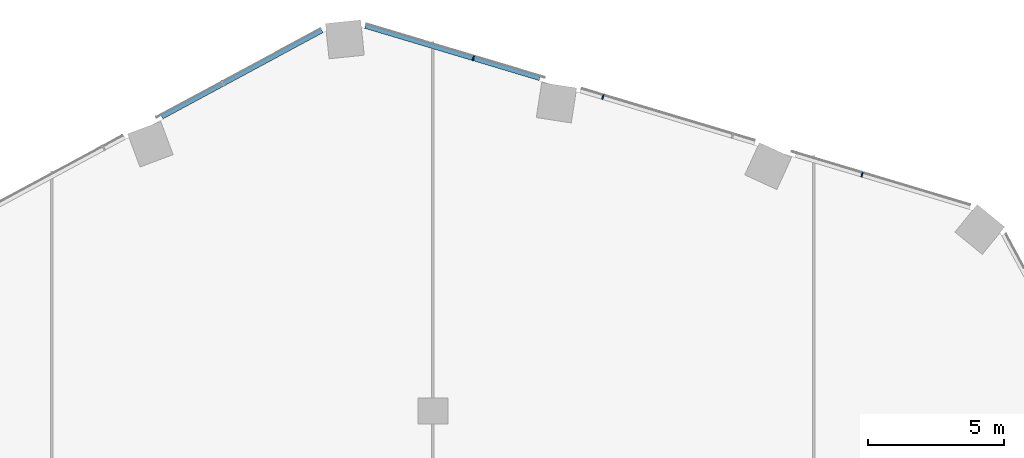
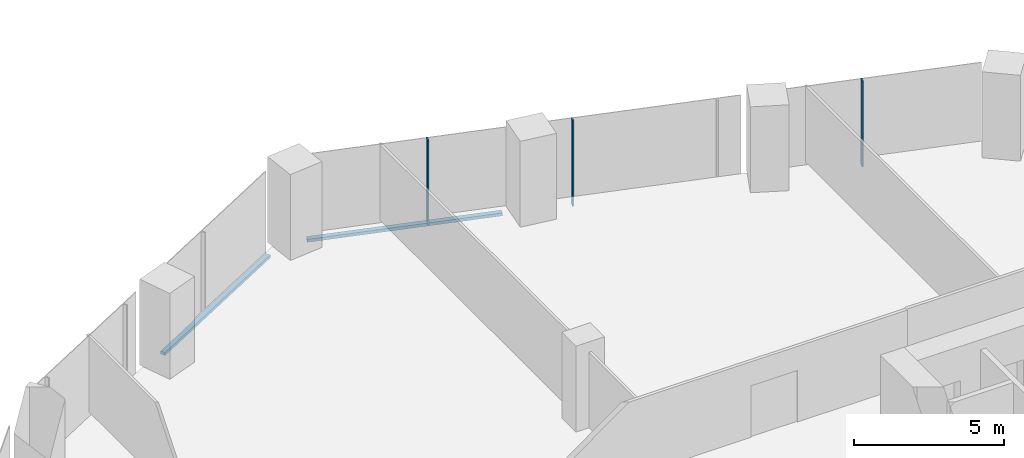
# One storey, part 12 of 34: 5 members, 2 elements without a shape of their own.
"""IFC4 building model written with IfcOpenShell, lengths in metres."""

import ifcopenshell
import ifcopenshell.guid

model = None  # the IFC model being written
_history = None  # IfcOwnerHistory: only IFC2X3 demands one
_inside = {}  # id of a spatial element -> (the spatial element, [elements in it])
_under = {}  # id of a project, library or spatial element -> (it, [spatial elements below it])
_declared = {}  # id of a project -> (the project, [libraries it declares])
_typed = {}  # id of a type object -> (the type object, [elements of that type])
_made_of = {}  # id of a material, layer set ... -> (it, [elements and type objects made of it])


def new_model(schema):
    """Start an empty IFC model of exactly this schema.

    Asked for "IFC4X3", IfcOpenShell would pick the latest addendum, in which some entities
    have other attributes; the version numbers below select the first issue.
    IFC2X3 requires an IfcOwnerHistory on every rooted entity: one is made here for all.
    """
    global model, _history
    if schema == "IFC4X3":
        model = ifcopenshell.file(schema_version=(4, 3, 0, 0))
    else:
        model = ifcopenshell.file(schema=schema)
    _inside.clear()
    _under.clear()
    _declared.clear()
    _typed.clear()
    _made_of.clear()
    _history = None
    if model.schema == "IFC2X3":
        org = make("IfcOrganization", Name="unknown")
        user = make(
            "IfcPersonAndOrganization",
            ThePerson=make("IfcPerson", FamilyName="unknown"),
            TheOrganization=org,
        )
        app = make(
            "IfcApplication",
            ApplicationDeveloper=org,
            Version="unknown",
            ApplicationFullName="unknown",
            ApplicationIdentifier="unknown",
        )
        _history = make(
            "IfcOwnerHistory",
            OwningUser=user,
            OwningApplication=app,
            ChangeAction="ADDED",
            CreationDate=0,
        )
    return model


def make(cls, **values):
    """One entity of the class cls with the attributes given. An attribute that is None is left unset."""
    return model.create_entity(
        cls, **{name: value for name, value in values.items() if value is not None}
    )


def rooted(cls, **values):
    """An entity with a GlobalId (a new one), such as an element, a storey or a relation."""
    return make(cls, GlobalId=ifcopenshell.guid.new(), OwnerHistory=_history, **values)


def si_unit(unit_type, name, prefix=None):
    """IfcSIUnit, for example si_unit("LENGTHUNIT", "METRE", prefix="MILLI")."""
    return make("IfcSIUnit", UnitType=unit_type, Prefix=prefix, Name=name)


def assignment(units):
    """IfcUnitAssignment: the units of a project."""
    return None if units is None else make("IfcUnitAssignment", Units=units)


def point(xyz):
    """IfcCartesianPoint."""
    return None if xyz is None else make("IfcCartesianPoint", Coordinates=xyz)


def direction(xyz):
    """IfcDirection."""
    return None if xyz is None else make("IfcDirection", DirectionRatios=xyz)


def frame(location, z_axis=None, x_axis=None):
    """IfcAxis2Placement3D, a coordinate frame: its origin and axes. An axis left out is left unset."""
    return make(
        "IfcAxis2Placement3D",
        Location=point(location),
        Axis=direction(z_axis),
        RefDirection=direction(x_axis),
    )


def frame_2d(location, x_axis=None):
    """IfcAxis2Placement2D, a coordinate frame in the plane: its origin and x axis."""
    return make(
        "IfcAxis2Placement2D", Location=point(location), RefDirection=direction(x_axis)
    )


def origin():
    """The frame at (0, 0, 0) with its axes left unset."""
    return frame((0.0, 0.0, 0.0))


def origin_2d():
    """The frame at (0, 0) in the plane with its x axis left unset."""
    return frame_2d((0.0, 0.0))


def place(relative_to, where):
    """IfcLocalPlacement: puts the frame where relative to a parent placement (None: the world)."""
    return make(
        "IfcLocalPlacement", PlacementRelTo=relative_to, RelativePlacement=where
    )


def context(
    kind, dimensions, precision=None, world=None, true_north=None, identifier=None
):
    """IfcGeometricRepresentationContext, for example the 3D "Model" context."""
    return make(
        "IfcGeometricRepresentationContext",
        ContextIdentifier=identifier,
        ContextType=kind,
        CoordinateSpaceDimension=dimensions,
        Precision=precision,
        WorldCoordinateSystem=world,
        TrueNorth=true_north,
    )


def subcontext(parent, identifier, kind, view, scale=None):
    """IfcGeometricRepresentationSubContext, for example "Body" below "Model"."""
    return make(
        "IfcGeometricRepresentationSubContext",
        ContextIdentifier=identifier,
        ContextType=kind,
        ParentContext=parent,
        TargetScale=scale,
        TargetView=view,
    )


def project(units=None, contexts=None):
    """IfcProject with its units and contexts."""
    return rooted(
        "IfcProject",
        Name="project",
        RepresentationContexts=contexts,
        UnitsInContext=assignment(units),
    )


def spatial(cls, under=None, at=None, **own):
    """A site, building, storey or space (cls), placed at a placement, below another one or the project."""
    s = rooted(cls, ObjectPlacement=at, **own)
    if under is not None:
        _under.setdefault(under.id(), (under, []))[1].append(s)
    return s


def profile(cls, at=None, kind="AREA", **sizes):
    """A parametric profile (cls). Its sizes go by their IFC names, for example OverallWidth=200.0."""
    return make(cls, ProfileType=kind, Position=at, **sizes)


def rectangle(**sizes):
    """IfcRectangleProfileDef."""
    return profile("IfcRectangleProfileDef", **sizes)


def extrude(swept, where, along, depth):
    """IfcExtrudedAreaSolid: the profile swept, set in the frame where, extruded along a direction by depth."""
    return make(
        "IfcExtrudedAreaSolid",
        SweptArea=swept,
        Position=where,
        ExtrudedDirection=direction(along),
        Depth=depth,
    )


def shape(context_of_items, identifier, shape_type, items):
    """IfcShapeRepresentation: the items that make up one representation, for example the "Body"."""
    return make(
        "IfcShapeRepresentation",
        ContextOfItems=context_of_items,
        RepresentationIdentifier=identifier,
        RepresentationType=shape_type,
        Items=items,
    )


def material(Name=None, Category=None):
    """IfcMaterial."""
    return make("IfcMaterial", Name=Name, Category=Category)


def material_profile(
    of_material, cross_section, Name=None, Category=None, Priority=None
):
    """IfcMaterialProfile: a cross section and its material."""
    return make(
        "IfcMaterialProfile",
        Name=Name,
        Material=of_material,
        Profile=cross_section,
        Priority=Priority,
        Category=Category,
    )


def profile_set(profiles, Name=None, composite=None):
    """IfcMaterialProfileSet."""
    return make(
        "IfcMaterialProfileSet",
        Name=Name,
        MaterialProfiles=profiles,
        CompositeProfile=composite,
    )


def made_of(thing, what):
    """Note that an element or type object is made of a material, layer set ...; save() writes the relation."""
    if what is not None:
        _made_of.setdefault(what.id(), (what, []))[1].append(thing)
    return thing


def type_object(cls, material=None, **own):
    """A type object (cls), such as IfcWallType, which elements share."""
    return made_of(rooted(cls, **own), material)


def element(
    cls,
    number,
    at=None,
    inside=None,
    cuts=None,
    type_object=None,
    material=None,
    context=None,
    identifier="Body",
    shape_type=None,
    held_by="IfcProductDefinitionShape",
    body=None,
    shapes=None,
    **own,
):
    """One element of the class cls, such as IfcWall. Its Tag is "e" and its number.

    at: its placement. inside: the storey or other place that contains it. cuts: it is an
    opening in that element (IfcRelVoidsElement). A single representation is given by context,
    identifier, shape_type and body (its items); several are given by shapes. held_by: the class
    of the entity that holds the representations. save() writes the other relations.
    """
    e = rooted(cls, Tag="e%d" % number, ObjectPlacement=at, **own)
    if body is not None:
        shapes = [shape(context, identifier, shape_type, body)]
    if shapes is not None:
        e.Representation = make(held_by, Representations=shapes)
    if inside is not None:
        _inside.setdefault(inside.id(), (inside, []))[1].append(e)
    if cuts is not None:
        rooted(
            "IfcRelVoidsElement", RelatingBuildingElement=cuts, RelatedOpeningElement=e
        )
    if type_object is not None:
        _typed.setdefault(type_object.id(), (type_object, []))[1].append(e)
    return made_of(e, material)


def aggregate(whole, parts):
    """IfcRelAggregates: a whole, such as a stair, and the parts it consists of."""
    return rooted("IfcRelAggregates", RelatingObject=whole, RelatedObjects=parts)


def save(model, path):
    """Write the relations noted so far, then the file.

    IfcRelAggregates (storeys below a building ...), IfcRelContainedInSpatialStructure (elements
    in a storey), IfcRelDefinesByType, IfcRelAssociatesMaterial and IfcRelDeclares: one each for
    every whole, place, type object, material and project.
    """
    for whole, parts in _under.values():
        aggregate(whole, parts)
    for where, things in _inside.values():
        rooted(
            "IfcRelContainedInSpatialStructure",
            RelatedElements=things,
            RelatingStructure=where,
        )
    for kind, things in _typed.values():
        rooted("IfcRelDefinesByType", RelatedObjects=things, RelatingType=kind)
    for what, things in _made_of.values():
        rooted("IfcRelAssociatesMaterial", RelatedObjects=things, RelatingMaterial=what)
    for by, libraries in _declared.values():
        rooted("IfcRelDeclares", RelatingContext=by, RelatedDefinitions=libraries)
    model.write(path)


model = new_model("IFC4")

# Units and contexts
model_context = context("Model", 3, precision=1e-05, world=origin(), true_north=direction((0.0, 1.0)))
body_context = subcontext(model_context, "Body", "Model", "MODEL_VIEW")
ifc_project = project(units=[si_unit("LENGTHUNIT", "METRE"), si_unit("AREAUNIT", "SQUARE_METRE"), si_unit("VOLUMEUNIT", "CUBIC_METRE"), si_unit("PLANEANGLEUNIT", "RADIAN"), si_unit("MASSUNIT", "GRAM", prefix="KILO")], contexts=[model_context])

# Site, building, storey
site_placement = place(None, origin())
site = spatial("IfcSite", under=ifc_project, at=site_placement, CompositionType="ELEMENT")
building_placement = place(site_placement, origin())
building = spatial("IfcBuilding", under=site, at=building_placement, Name="Orlundy Tower", CompositionType="ELEMENT")
storey_placement = place(building_placement, frame((0.0, 0.0, 130.699951171875)))
storey = spatial("IfcBuildingStorey", under=building, at=storey_placement, Name="L33", CompositionType="ELEMENT", Elevation=130.699951171875)

# Curtain wall, members
ifc_material_1 = material(Name="Aluminium bronze anodised", Category="aluminium")
curtain_wall_type = type_object("IfcCurtainWallType", Name="CW1 wall", PredefinedType="NOTDEFINED", material=ifc_material_1)
curtain_wall_1_placement = place(storey_placement, origin())
curtain_wall_1 = element("IfcCurtainWall", 1, at=curtain_wall_1_placement, inside=storey, type_object=curtain_wall_type, Name="CW1 run 04", PredefinedType="NOTDEFINED")
ifc_material_2 = material(Name="Aluminium bronze anodised", Category="aluminium")
ifc_material_profile_1 = material_profile(ifc_material_2, rectangle(XDim=0.179931640625, YDim=0.050048828125, at=origin_2d()), Name="CW1 mullion 50x180")
ifc_profile_set_1 = profile_set([ifc_material_profile_1], Name="Aluminium bronze anodised")
member_type_1 = type_object("IfcMemberType", Name="CW1 mullion 50x180", PredefinedType="MULLION", material=ifc_profile_set_1)
member_1_placement = place(storey_placement, frame((1.4873046875, 30.964599609375, -0.39990234375), z_axis=(0.0, 0.0, 1.0), x_axis=(0.286816257107, 0.957985612971, 0.0)))
member_1 = element("IfcMember", 2, at=member_1_placement, type_object=member_type_1, Name="CW1 mullion 20", PredefinedType="MULLION", context=body_context, shape_type="SweptSolid", body=[
    extrude(rectangle(XDim=0.179931640625, YDim=0.050048828125, at=origin_2d()), origin(), (0.0, 0.0, 1.0), 3.5),
])
member_2_placement = place(storey_placement, frame((6.2490234375, 29.5390625, -0.39990234375), z_axis=(0.0, 0.0, 1.0), x_axis=(0.286816257107, 0.957985612971, 0.0)))
member_2 = element("IfcMember", 3, at=member_2_placement, type_object=member_type_1, Name="CW1 mullion 21", PredefinedType="MULLION", context=body_context, shape_type="SweptSolid", body=[
    extrude(rectangle(XDim=0.179931640625, YDim=0.050048828125, at=origin_2d()), origin(), (0.0, 0.0, 1.0), 3.5),
])
member_3_placement = place(storey_placement, frame((15.772216796875, 26.687744140625, -0.39990234375), z_axis=(0.0, 0.0, 1.0), x_axis=(0.286816257107, 0.957985612971, 0.0)))
member_3 = element("IfcMember", 4, at=member_3_placement, type_object=member_type_1, Name="CW1 mullion 23", PredefinedType="MULLION", context=body_context, shape_type="SweptSolid", body=[
    extrude(rectangle(XDim=0.179931640625, YDim=0.050048828125, at=origin_2d()), origin(), (0.0, 0.0, 1.0), 3.5),
])

# Curtain wall, member
curtain_wall_2_placement = place(storey_placement, origin())
curtain_wall_2 = element("IfcCurtainWall", 5, at=curtain_wall_2_placement, inside=storey, type_object=curtain_wall_type, Name="CW1 run 03", PredefinedType="NOTDEFINED")
ifc_material_3 = material(Name="Aluminium bronze anodised", Category="aluminium")
ifc_material_profile_2 = material_profile(ifc_material_3, rectangle(XDim=0.179931640625, YDim=0.1201171875, at=origin_2d()), Name="CW1 transom 180x120")
ifc_profile_set_2 = profile_set([ifc_material_profile_2], Name="Aluminium bronze anodised")
member_type_2 = type_object("IfcMemberType", Name="CW1 transom 180x120", PredefinedType="USERDEFINED", material=ifc_profile_set_2)
member_4_placement = place(storey_placement, frame((-9.9619140625, 28.81396484375, -0.33984375), z_axis=(0.880187434864, 0.474626252442, 0.0), x_axis=(-0.474626252442, 0.880187434864, 0.0)))
member_4 = element("IfcMember", 6, at=member_4_placement, type_object=member_type_2, Name="CW1 transom", ObjectType="TRANSOM", PredefinedType="USERDEFINED", context=body_context, shape_type="SweptSolid", body=[
    extrude(rectangle(XDim=0.179931640625, YDim=0.1201171875, at=origin_2d()), origin(), (0.0, 0.0, 1.0), 6.691650390625),
])
aggregate(curtain_wall_2, [member_4])

# Member
member_5_placement = place(storey_placement, frame((-2.48046875, 32.152587890625, -0.33984375), z_axis=(0.957982823238, -0.286825574838, 0.0), x_axis=(0.286825574838, 0.957982823238, 0.0)))
member_5 = element("IfcMember", 7, at=member_5_placement, type_object=member_type_2, Name="CW1 transom", ObjectType="TRANSOM", PredefinedType="USERDEFINED", context=body_context, shape_type="SweptSolid", body=[
    extrude(rectangle(XDim=0.179931640625, YDim=0.1201171875, at=origin_2d()), origin(), (0.0, 0.0, 1.0), 6.690185546875),
])

aggregate(curtain_wall_1, [member_1, member_2, member_3, member_5])

save(model, "model.ifc")
